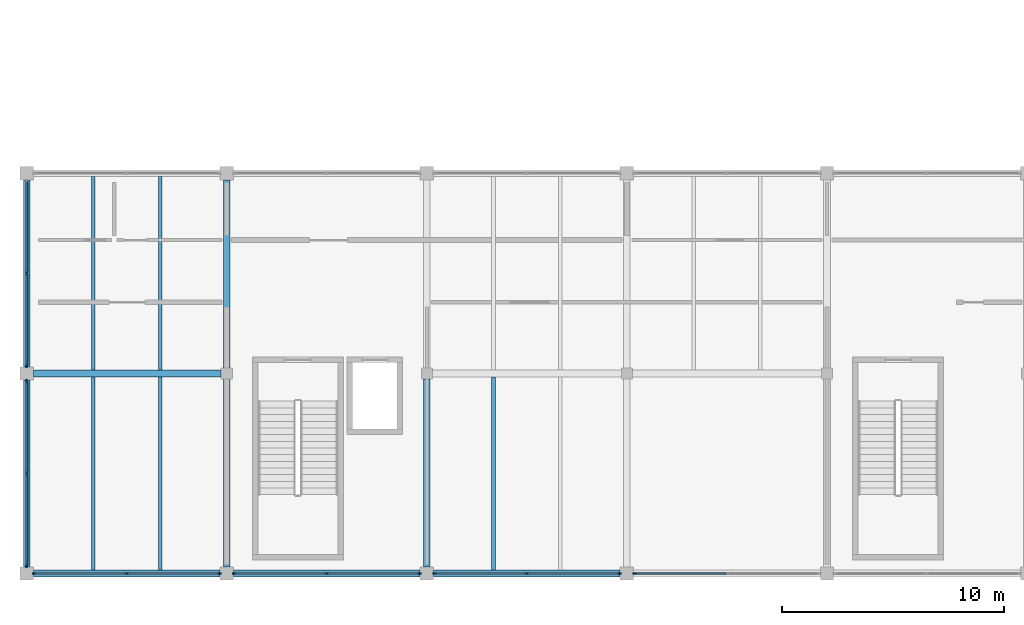
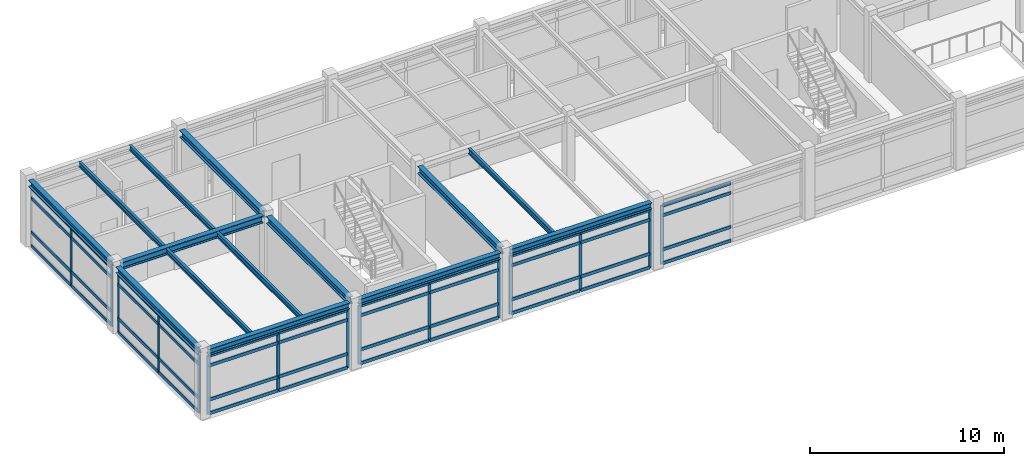
# One storey, part 5 of 33: 59 members, 14 beams, 6 elements without a shape of their own.
"""IFC4 building model written with IfcOpenShell, lengths in metres."""

import ifcopenshell
import ifcopenshell.guid

model = None  # the IFC model being written
_history = None  # IfcOwnerHistory: only IFC2X3 demands one
_inside = {}  # id of a spatial element -> (the spatial element, [elements in it])
_under = {}  # id of a project, library or spatial element -> (it, [spatial elements below it])
_declared = {}  # id of a project -> (the project, [libraries it declares])
_typed = {}  # id of a type object -> (the type object, [elements of that type])
_made_of = {}  # id of a material, layer set ... -> (it, [elements and type objects made of it])


def new_model(schema):
    """Start an empty IFC model of exactly this schema.

    Asked for "IFC4X3", IfcOpenShell would pick the latest addendum, in which some entities
    have other attributes; the version numbers below select the first issue.
    IFC2X3 requires an IfcOwnerHistory on every rooted entity: one is made here for all.
    """
    global model, _history
    if schema == "IFC4X3":
        model = ifcopenshell.file(schema_version=(4, 3, 0, 0))
    else:
        model = ifcopenshell.file(schema=schema)
    _inside.clear()
    _under.clear()
    _declared.clear()
    _typed.clear()
    _made_of.clear()
    _history = None
    if model.schema == "IFC2X3":
        org = make("IfcOrganization", Name="unknown")
        user = make(
            "IfcPersonAndOrganization",
            ThePerson=make("IfcPerson", FamilyName="unknown"),
            TheOrganization=org,
        )
        app = make(
            "IfcApplication",
            ApplicationDeveloper=org,
            Version="unknown",
            ApplicationFullName="unknown",
            ApplicationIdentifier="unknown",
        )
        _history = make(
            "IfcOwnerHistory",
            OwningUser=user,
            OwningApplication=app,
            ChangeAction="ADDED",
            CreationDate=0,
        )
    return model


def make(cls, **values):
    """One entity of the class cls with the attributes given. An attribute that is None is left unset."""
    return model.create_entity(
        cls, **{name: value for name, value in values.items() if value is not None}
    )


def rooted(cls, **values):
    """An entity with a GlobalId (a new one), such as an element, a storey or a relation."""
    return make(cls, GlobalId=ifcopenshell.guid.new(), OwnerHistory=_history, **values)


def si_unit(unit_type, name, prefix=None):
    """IfcSIUnit, for example si_unit("LENGTHUNIT", "METRE", prefix="MILLI")."""
    return make("IfcSIUnit", UnitType=unit_type, Prefix=prefix, Name=name)


def assignment(units):
    """IfcUnitAssignment: the units of a project."""
    return None if units is None else make("IfcUnitAssignment", Units=units)


def point(xyz):
    """IfcCartesianPoint."""
    return None if xyz is None else make("IfcCartesianPoint", Coordinates=xyz)


def direction(xyz):
    """IfcDirection."""
    return None if xyz is None else make("IfcDirection", DirectionRatios=xyz)


def frame(location, z_axis=None, x_axis=None):
    """IfcAxis2Placement3D, a coordinate frame: its origin and axes. An axis left out is left unset."""
    return make(
        "IfcAxis2Placement3D",
        Location=point(location),
        Axis=direction(z_axis),
        RefDirection=direction(x_axis),
    )


def frame_2d(location, x_axis=None):
    """IfcAxis2Placement2D, a coordinate frame in the plane: its origin and x axis."""
    return make(
        "IfcAxis2Placement2D", Location=point(location), RefDirection=direction(x_axis)
    )


def origin():
    """The frame at (0, 0, 0) with its axes left unset."""
    return frame((0.0, 0.0, 0.0))


def origin_2d():
    """The frame at (0, 0) in the plane with its x axis left unset."""
    return frame_2d((0.0, 0.0))


def place(relative_to, where):
    """IfcLocalPlacement: puts the frame where relative to a parent placement (None: the world)."""
    return make(
        "IfcLocalPlacement", PlacementRelTo=relative_to, RelativePlacement=where
    )


def context(
    kind, dimensions, precision=None, world=None, true_north=None, identifier=None
):
    """IfcGeometricRepresentationContext, for example the 3D "Model" context."""
    return make(
        "IfcGeometricRepresentationContext",
        ContextIdentifier=identifier,
        ContextType=kind,
        CoordinateSpaceDimension=dimensions,
        Precision=precision,
        WorldCoordinateSystem=world,
        TrueNorth=true_north,
    )


def subcontext(parent, identifier, kind, view, scale=None):
    """IfcGeometricRepresentationSubContext, for example "Body" below "Model"."""
    return make(
        "IfcGeometricRepresentationSubContext",
        ContextIdentifier=identifier,
        ContextType=kind,
        ParentContext=parent,
        TargetScale=scale,
        TargetView=view,
    )


def project(units=None, contexts=None):
    """IfcProject with its units and contexts."""
    return rooted(
        "IfcProject",
        Name="project",
        RepresentationContexts=contexts,
        UnitsInContext=assignment(units),
    )


def spatial(cls, under=None, at=None, **own):
    """A site, building, storey or space (cls), placed at a placement, below another one or the project."""
    s = rooted(cls, ObjectPlacement=at, **own)
    if under is not None:
        _under.setdefault(under.id(), (under, []))[1].append(s)
    return s


def profile(cls, at=None, kind="AREA", **sizes):
    """A parametric profile (cls). Its sizes go by their IFC names, for example OverallWidth=200.0."""
    return make(cls, ProfileType=kind, Position=at, **sizes)


def rectangle(**sizes):
    """IfcRectangleProfileDef."""
    return profile("IfcRectangleProfileDef", **sizes)


def i_section(**sizes):
    """IfcIShapeProfileDef."""
    return profile("IfcIShapeProfileDef", **sizes)


def extrude(swept, where, along, depth):
    """IfcExtrudedAreaSolid: the profile swept, set in the frame where, extruded along a direction by depth."""
    return make(
        "IfcExtrudedAreaSolid",
        SweptArea=swept,
        Position=where,
        ExtrudedDirection=direction(along),
        Depth=depth,
    )


def shape(context_of_items, identifier, shape_type, items):
    """IfcShapeRepresentation: the items that make up one representation, for example the "Body"."""
    return make(
        "IfcShapeRepresentation",
        ContextOfItems=context_of_items,
        RepresentationIdentifier=identifier,
        RepresentationType=shape_type,
        Items=items,
    )


def material(Name=None, Category=None):
    """IfcMaterial."""
    return make("IfcMaterial", Name=Name, Category=Category)


def material_profile(
    of_material, cross_section, Name=None, Category=None, Priority=None
):
    """IfcMaterialProfile: a cross section and its material."""
    return make(
        "IfcMaterialProfile",
        Name=Name,
        Material=of_material,
        Profile=cross_section,
        Priority=Priority,
        Category=Category,
    )


def profile_set(profiles, Name=None, composite=None):
    """IfcMaterialProfileSet."""
    return make(
        "IfcMaterialProfileSet",
        Name=Name,
        MaterialProfiles=profiles,
        CompositeProfile=composite,
    )


def made_of(thing, what):
    """Note that an element or type object is made of a material, layer set ...; save() writes the relation."""
    if what is not None:
        _made_of.setdefault(what.id(), (what, []))[1].append(thing)
    return thing


def type_object(cls, material=None, **own):
    """A type object (cls), such as IfcWallType, which elements share."""
    return made_of(rooted(cls, **own), material)


def element(
    cls,
    number,
    at=None,
    inside=None,
    cuts=None,
    type_object=None,
    material=None,
    context=None,
    identifier="Body",
    shape_type=None,
    held_by="IfcProductDefinitionShape",
    body=None,
    shapes=None,
    **own,
):
    """One element of the class cls, such as IfcWall. Its Tag is "e" and its number.

    at: its placement. inside: the storey or other place that contains it. cuts: it is an
    opening in that element (IfcRelVoidsElement). A single representation is given by context,
    identifier, shape_type and body (its items); several are given by shapes. held_by: the class
    of the entity that holds the representations. save() writes the other relations.
    """
    e = rooted(cls, Tag="e%d" % number, ObjectPlacement=at, **own)
    if body is not None:
        shapes = [shape(context, identifier, shape_type, body)]
    if shapes is not None:
        e.Representation = make(held_by, Representations=shapes)
    if inside is not None:
        _inside.setdefault(inside.id(), (inside, []))[1].append(e)
    if cuts is not None:
        rooted(
            "IfcRelVoidsElement", RelatingBuildingElement=cuts, RelatedOpeningElement=e
        )
    if type_object is not None:
        _typed.setdefault(type_object.id(), (type_object, []))[1].append(e)
    return made_of(e, material)


def aggregate(whole, parts):
    """IfcRelAggregates: a whole, such as a stair, and the parts it consists of."""
    return rooted("IfcRelAggregates", RelatingObject=whole, RelatedObjects=parts)


def save(model, path):
    """Write the relations noted so far, then the file.

    IfcRelAggregates (storeys below a building ...), IfcRelContainedInSpatialStructure (elements
    in a storey), IfcRelDefinesByType, IfcRelAssociatesMaterial and IfcRelDeclares: one each for
    every whole, place, type object, material and project.
    """
    for whole, parts in _under.values():
        aggregate(whole, parts)
    for where, things in _inside.values():
        rooted(
            "IfcRelContainedInSpatialStructure",
            RelatedElements=things,
            RelatingStructure=where,
        )
    for kind, things in _typed.values():
        rooted("IfcRelDefinesByType", RelatedObjects=things, RelatingType=kind)
    for what, things in _made_of.values():
        rooted("IfcRelAssociatesMaterial", RelatedObjects=things, RelatingMaterial=what)
    for by, libraries in _declared.values():
        rooted("IfcRelDeclares", RelatingContext=by, RelatedDefinitions=libraries)
    model.write(path)


model = new_model("IFC4")

# Units and contexts
model_context = context("Model", 3, precision=1e-05, world=origin(), true_north=direction((0.0, 1.0)))
body_context = subcontext(model_context, "Body", "Model", "MODEL_VIEW")
ifc_project = project(units=[si_unit("LENGTHUNIT", "METRE"), si_unit("AREAUNIT", "SQUARE_METRE"), si_unit("VOLUMEUNIT", "CUBIC_METRE"), si_unit("PLANEANGLEUNIT", "RADIAN"), si_unit("MASSUNIT", "GRAM", prefix="KILO")], contexts=[model_context])

# Site, building, storey
site_placement = place(None, origin())
site = spatial("IfcSite", under=ifc_project, at=site_placement, CompositionType="ELEMENT")
building_placement = place(site_placement, origin())
building = spatial("IfcBuilding", under=site, at=building_placement, Name="Bozkorgan Art Gallery", CompositionType="ELEMENT")
storey_placement = place(building_placement, frame((0.0, 0.0, 19.5)))
storey = spatial("IfcBuildingStorey", under=building, at=storey_placement, Name="L04", CompositionType="ELEMENT", Elevation=19.5)

# Beams
ifc_material_1 = material(Name="Steel S355J2", Category="steel")
ifc_material_profile_1 = material_profile(ifc_material_1, i_section(OverallWidth=0.300048828125, OverallDepth=0.449951171875, WebThickness=0.013916015625, FlangeThickness=0.02587890625, FilletRadius=0.027099609375, at=origin_2d()), Name="HEB 450")
ifc_profile_set_1 = profile_set([ifc_material_profile_1], Name="Steel S355J2")
beam_type_1 = type_object("IfcBeamType", Name="BEAM-BM-53", PredefinedType="BEAM", material=ifc_profile_set_1)
for number, where, z_axis, x_axis, name in (
    (1, (2.300048828125, 11.0, 3.955078125), (1.0, 0.0, 0.0), (0.0, 1.0, 0.0), "V1 L04 beam X (2-11, 11.0)"),
    (2, (11.0, 2.300048828125, 3.955078125), (0.0, 1.0, 0.0), (-1.0, 0.0, 0.0), "V1 L04 beam Y (11, 2.0-11.0)"),
    (3, (11.0, 11.25, 3.955078125), (0.0, 1.0, 0.0), (-1.0, 0.0, 0.0), "V1 L04 beam Y (11, 11.0-20.0)"),
    (4, (20.0, 2.300048828125, 3.955078125), (0.0, 1.0, 0.0), (-1.0, 0.0, 0.0), "V1 L04 beam Y (20, 2.0-11.0)"),
):
    element("IfcBeam", number, at=place(storey_placement, frame(where, z_axis=z_axis, x_axis=x_axis)), inside=storey, type_object=beam_type_1, Name=name, PredefinedType="BEAM", context=body_context, shape_type="SweptSolid", body=[
        extrude(i_section(OverallWidth=0.300048828125, OverallDepth=0.449951171875, WebThickness=0.013916015625, FlangeThickness=0.02587890625, FilletRadius=0.027099609375, at=origin_2d()), origin(), (0.0, 0.0, 1.0), 8.449951171875),
    ])
ifc_material_profile_2 = material_profile(ifc_material_1, i_section(OverallWidth=0.159912109375, OverallDepth=0.330078125, WebThickness=0.007568359375, FlangeThickness=0.011474609375, FilletRadius=0.01806640625, at=origin_2d()), Name="IPE 330")
ifc_profile_set_2 = profile_set([ifc_material_profile_2], Name="Steel S355J2")
beam_type_2 = type_object("IfcBeamType", Name="BEAM-JS-33", PredefinedType="JOIST", material=ifc_profile_set_2)
for number, where, z_axis, x_axis, name in (
    (5, (5.0, 2.14990234375, 4.014892578125), (0.0, 1.0, 0.0), (-1.0, 0.0, 0.0), "V1 L04 secondary joist (2-11, 2.0-11.0) #1"),
    (6, (8.0, 2.14990234375, 4.014892578125), (0.0, 1.0, 0.0), (-1.0, 0.0, 0.0), "V1 L04 secondary joist (2-11, 2.0-11.0) #2"),
    (7, (5.0, 11.14990234375, 4.014892578125), (0.0, 1.0, 0.0), (-1.0, 0.0, 0.0), "V1 L04 secondary joist (2-11, 11.0-20.0) #1"),
    (8, (8.0, 11.14990234375, 4.014892578125), (0.0, 1.0, 0.0), (-1.0, 0.0, 0.0), "V1 L04 secondary joist (2-11, 11.0-20.0) #2"),
    (9, (23.0, 2.14990234375, 4.014892578125), (0.0, 1.0, 0.0), (-1.0, 0.0, 0.0), "V1 L04 secondary joist (20-29, 2.0-11.0) #1"),
):
    element("IfcBeam", number, at=place(storey_placement, frame(where, z_axis=z_axis, x_axis=x_axis)), inside=storey, type_object=beam_type_2, Name=name, PredefinedType="JOIST", context=body_context, shape_type="SweptSolid", body=[
        extrude(i_section(OverallWidth=0.159912109375, OverallDepth=0.330078125, WebThickness=0.007568359375, FlangeThickness=0.011474609375, FilletRadius=0.01806640625, at=origin_2d()), origin(), (0.0, 0.0, 1.0), 8.7001953125),
    ])
ifc_material_profile_3 = material_profile(ifc_material_1, i_section(OverallWidth=0.300048828125, OverallDepth=0.389892578125, WebThickness=0.010986328125, FlangeThickness=0.01904296875, FilletRadius=0.027099609375, at=origin_2d()), Name="HEA 400")
ifc_profile_set_3 = profile_set([ifc_material_profile_3], Name="Steel S355J2")
beam_type_3 = type_object("IfcBeamType", Name="BEAM-SP-65", PredefinedType="SPANDREL", material=ifc_profile_set_3)
for number, where, z_axis, x_axis, name in (
    (10, (2.300048828125, 2.0, 3.985107421875), (1.0, 0.0, 0.0), (0.0, 1.0, 0.0), "V1 L04 spandrel X (2-11, 2.0)"),
    (11, (11.300048828125, 2.0, 3.985107421875), (1.0, 0.0, 0.0), (0.0, 1.0, 0.0), "V1 L04 spandrel X (11-20, 2.0)"),
    (12, (20.300048828125, 2.0, 3.985107421875), (1.0, 0.0, 0.0), (0.0, 1.0, 0.0), "V1 L04 spandrel X (20-29, 2.0)"),
    (13, (2.0, 2.300048828125, 3.985107421875), (0.0, 1.0, 0.0), (-1.0, 0.0, 0.0), "V1 L04 spandrel Y (2, 2.0-11.0)"),
    (14, (2.0, 11.300048828125, 3.985107421875), (0.0, 1.0, 0.0), (-1.0, 0.0, 0.0), "V1 L04 spandrel Y (2, 11.0-20.0)"),
):
    element("IfcBeam", number, at=place(storey_placement, frame(where, z_axis=z_axis, x_axis=x_axis)), inside=storey, type_object=beam_type_3, Name=name, PredefinedType="SPANDREL", context=body_context, shape_type="SweptSolid", body=[
        extrude(i_section(OverallWidth=0.300048828125, OverallDepth=0.389892578125, WebThickness=0.010986328125, FlangeThickness=0.01904296875, FilletRadius=0.027099609375, at=origin_2d()), origin(), (0.0, 0.0, 1.0), 8.39990234375),
    ])

# Curtain wall, members
ifc_material_2 = material(Name="Anodised Bronze Aluminium", Category="aluminium")
curtain_wall_type = type_object("IfcCurtainWallType", Name="CW-CW-71", PredefinedType="NOTDEFINED", material=ifc_material_2)
curtain_wall_1_placement = place(storey_placement, origin())
curtain_wall_1 = element("IfcCurtainWall", 15, at=curtain_wall_1_placement, inside=storey, type_object=curtain_wall_type, Name="L04 unitised curtain wall CW-V1-L04-1S-01", PredefinedType="NOTDEFINED")
ifc_material_profile_4 = material_profile(ifc_material_2, rectangle(XDim=0.06494140625, YDim=0.179931640625, at=origin_2d()), Name="ALU MULLION 65x180")
ifc_profile_set_4 = profile_set([ifc_material_profile_4], Name="Anodised Bronze Aluminium")
member_type_1 = type_object("IfcMemberType", Name="CWM-01", PredefinedType="MULLION", material=ifc_profile_set_4)
member_1_placement = place(storey_placement, frame((2.347412109375, 2.0, 0.02001953125), z_axis=(0.0, 0.0, 1.0), x_axis=(0.0, 1.0, 0.0)))
member_1 = element("IfcMember", 16, at=member_1_placement, type_object=member_type_1, Name="CW-71 mullion 1", PredefinedType="MULLION", context=body_context, shape_type="SweptSolid", body=[
    extrude(rectangle(XDim=0.06494140625, YDim=0.179931640625, at=origin_2d()), origin(), (0.0, 0.0, 1.0), 3.695068359375),
])
member_2_placement = place(storey_placement, frame((6.5, 2.0, 0.02001953125), z_axis=(0.0, 0.0, 1.0), x_axis=(0.0, 1.0, 0.0)))
member_2 = element("IfcMember", 17, at=member_2_placement, type_object=member_type_1, Name="CW-71 mullion 2", PredefinedType="MULLION", context=body_context, shape_type="SweptSolid", body=[
    extrude(rectangle(XDim=0.06494140625, YDim=0.179931640625, at=origin_2d()), origin(), (0.0, 0.0, 1.0), 3.695068359375),
])
member_3_placement = place(storey_placement, frame((10.652587890625, 2.0, 0.02001953125), z_axis=(0.0, 0.0, 1.0), x_axis=(0.0, 1.0, 0.0)))
member_3 = element("IfcMember", 18, at=member_3_placement, type_object=member_type_1, Name="CW-71 mullion 3", PredefinedType="MULLION", context=body_context, shape_type="SweptSolid", body=[
    extrude(rectangle(XDim=0.06494140625, YDim=0.179931640625, at=origin_2d()), origin(), (0.0, 0.0, 1.0), 3.695068359375),
])

curtain_wall_2_placement = place(storey_placement, origin())
curtain_wall_2 = element("IfcCurtainWall", 19, at=curtain_wall_2_placement, inside=storey, type_object=curtain_wall_type, Name="L04 unitised curtain wall CW-V1-L04-1S-03", PredefinedType="NOTDEFINED")
member_4_placement = place(storey_placement, frame((11.347412109375, 2.0, 0.02001953125), z_axis=(0.0, 0.0, 1.0), x_axis=(0.0, 1.0, 0.0)))
member_4 = element("IfcMember", 20, at=member_4_placement, type_object=member_type_1, Name="CW-71 mullion 1", PredefinedType="MULLION", context=body_context, shape_type="SweptSolid", body=[
    extrude(rectangle(XDim=0.06494140625, YDim=0.179931640625, at=origin_2d()), origin(), (0.0, 0.0, 1.0), 3.695068359375),
])
member_5_placement = place(storey_placement, frame((15.5, 2.0, 0.02001953125), z_axis=(0.0, 0.0, 1.0), x_axis=(0.0, 1.0, 0.0)))
member_5 = element("IfcMember", 21, at=member_5_placement, type_object=member_type_1, Name="CW-71 mullion 2", PredefinedType="MULLION", context=body_context, shape_type="SweptSolid", body=[
    extrude(rectangle(XDim=0.06494140625, YDim=0.179931640625, at=origin_2d()), origin(), (0.0, 0.0, 1.0), 3.695068359375),
])
member_6_placement = place(storey_placement, frame((19.652587890625, 2.0, 0.02001953125), z_axis=(0.0, 0.0, 1.0), x_axis=(0.0, 1.0, 0.0)))
member_6 = element("IfcMember", 22, at=member_6_placement, type_object=member_type_1, Name="CW-71 mullion 3", PredefinedType="MULLION", context=body_context, shape_type="SweptSolid", body=[
    extrude(rectangle(XDim=0.06494140625, YDim=0.179931640625, at=origin_2d()), origin(), (0.0, 0.0, 1.0), 3.695068359375),
])

curtain_wall_3_placement = place(storey_placement, origin())
curtain_wall_3 = element("IfcCurtainWall", 23, at=curtain_wall_3_placement, inside=storey, type_object=curtain_wall_type, Name="L04 unitised curtain wall CW-V1-L04-1S-05", PredefinedType="NOTDEFINED")
member_7_placement = place(storey_placement, frame((20.347412109375, 2.0, 0.02001953125), z_axis=(0.0, 0.0, 1.0), x_axis=(0.0, 1.0, 0.0)))
member_7 = element("IfcMember", 24, at=member_7_placement, type_object=member_type_1, Name="CW-71 mullion 1", PredefinedType="MULLION", context=body_context, shape_type="SweptSolid", body=[
    extrude(rectangle(XDim=0.06494140625, YDim=0.179931640625, at=origin_2d()), origin(), (0.0, 0.0, 1.0), 3.695068359375),
])
member_8_placement = place(storey_placement, frame((24.5, 2.0, 0.02001953125), z_axis=(0.0, 0.0, 1.0), x_axis=(0.0, 1.0, 0.0)))
member_8 = element("IfcMember", 25, at=member_8_placement, type_object=member_type_1, Name="CW-71 mullion 2", PredefinedType="MULLION", context=body_context, shape_type="SweptSolid", body=[
    extrude(rectangle(XDim=0.06494140625, YDim=0.179931640625, at=origin_2d()), origin(), (0.0, 0.0, 1.0), 3.695068359375),
])
member_9_placement = place(storey_placement, frame((28.652587890625, 2.0, 0.02001953125), z_axis=(0.0, 0.0, 1.0), x_axis=(0.0, 1.0, 0.0)))
member_9 = element("IfcMember", 26, at=member_9_placement, type_object=member_type_1, Name="CW-71 mullion 3", PredefinedType="MULLION", context=body_context, shape_type="SweptSolid", body=[
    extrude(rectangle(XDim=0.06494140625, YDim=0.179931640625, at=origin_2d()), origin(), (0.0, 0.0, 1.0), 3.695068359375),
])

# Curtain wall, member
curtain_wall_4_placement = place(storey_placement, origin())
curtain_wall_4 = element("IfcCurtainWall", 27, at=curtain_wall_4_placement, inside=storey, type_object=curtain_wall_type, Name="L04 unitised curtain wall CW-V1-L04-1S-07", PredefinedType="NOTDEFINED")
member_10_placement = place(storey_placement, frame((29.347412109375, 2.0, 0.02001953125), z_axis=(0.0, 0.0, 1.0), x_axis=(0.0, 1.0, 0.0)))
member_10 = element("IfcMember", 28, at=member_10_placement, type_object=member_type_1, Name="CW-71 mullion 1", PredefinedType="MULLION", context=body_context, shape_type="SweptSolid", body=[
    extrude(rectangle(XDim=0.06494140625, YDim=0.179931640625, at=origin_2d()), origin(), (0.0, 0.0, 1.0), 3.695068359375),
])

# Curtain wall, members
curtain_wall_5_placement = place(storey_placement, origin())
curtain_wall_5 = element("IfcCurtainWall", 29, at=curtain_wall_5_placement, inside=storey, type_object=curtain_wall_type, Name="L04 unitised curtain wall CW-V1-L04-1W-15", PredefinedType="NOTDEFINED")
member_11_placement = place(storey_placement, frame((2.0, 2.347412109375, 0.02001953125), z_axis=(0.0, 0.0, 1.0), x_axis=(-1.0, 0.0, 0.0)))
member_11 = element("IfcMember", 30, at=member_11_placement, type_object=member_type_1, Name="CW-71 mullion 1", PredefinedType="MULLION", context=body_context, shape_type="SweptSolid", body=[
    extrude(rectangle(XDim=0.06494140625, YDim=0.179931640625, at=origin_2d()), origin(), (0.0, 0.0, 1.0), 3.695068359375),
])
member_12_placement = place(storey_placement, frame((2.0, 6.5, 0.02001953125), z_axis=(0.0, 0.0, 1.0), x_axis=(-1.0, 0.0, 0.0)))
member_12 = element("IfcMember", 31, at=member_12_placement, type_object=member_type_1, Name="CW-71 mullion 2", PredefinedType="MULLION", context=body_context, shape_type="SweptSolid", body=[
    extrude(rectangle(XDim=0.06494140625, YDim=0.179931640625, at=origin_2d()), origin(), (0.0, 0.0, 1.0), 3.695068359375),
])
member_13_placement = place(storey_placement, frame((2.0, 10.652587890625, 0.02001953125), z_axis=(0.0, 0.0, 1.0), x_axis=(-1.0, 0.0, 0.0)))
member_13 = element("IfcMember", 32, at=member_13_placement, type_object=member_type_1, Name="CW-71 mullion 3", PredefinedType="MULLION", context=body_context, shape_type="SweptSolid", body=[
    extrude(rectangle(XDim=0.06494140625, YDim=0.179931640625, at=origin_2d()), origin(), (0.0, 0.0, 1.0), 3.695068359375),
])

curtain_wall_6_placement = place(storey_placement, origin())
curtain_wall_6 = element("IfcCurtainWall", 33, at=curtain_wall_6_placement, inside=storey, type_object=curtain_wall_type, Name="L04 unitised curtain wall CW-V1-L04-1W-17", PredefinedType="NOTDEFINED")
member_14_placement = place(storey_placement, frame((2.0, 11.347412109375, 0.02001953125), z_axis=(0.0, 0.0, 1.0), x_axis=(-1.0, 0.0, 0.0)))
member_14 = element("IfcMember", 34, at=member_14_placement, type_object=member_type_1, Name="CW-71 mullion 1", PredefinedType="MULLION", context=body_context, shape_type="SweptSolid", body=[
    extrude(rectangle(XDim=0.06494140625, YDim=0.179931640625, at=origin_2d()), origin(), (0.0, 0.0, 1.0), 3.695068359375),
])
member_15_placement = place(storey_placement, frame((2.0, 15.5, 0.02001953125), z_axis=(0.0, 0.0, 1.0), x_axis=(-1.0, 0.0, 0.0)))
member_15 = element("IfcMember", 35, at=member_15_placement, type_object=member_type_1, Name="CW-71 mullion 2", PredefinedType="MULLION", context=body_context, shape_type="SweptSolid", body=[
    extrude(rectangle(XDim=0.06494140625, YDim=0.179931640625, at=origin_2d()), origin(), (0.0, 0.0, 1.0), 3.695068359375),
])

# Member
ifc_material_profile_5 = material_profile(ifc_material_2, rectangle(XDim=0.080078125, YDim=0.199951171875, at=origin_2d()), Name="ALU TRANSOM 80x200")
ifc_profile_set_5 = profile_set([ifc_material_profile_5], Name="Anodised Bronze Aluminium")
member_type_2 = type_object("IfcMemberType", Name="CWT-03", PredefinedType="USERDEFINED", material=ifc_profile_set_5)
member_16_placement = place(storey_placement, frame((2.3798828125, 2.0, 0.06005859375), z_axis=(1.0, 0.0, 0.0), x_axis=(0.0, 1.0, 0.0)))
member_16 = element("IfcMember", 36, at=member_16_placement, type_object=member_type_2, Name="CW-71 transom 1.1", ObjectType="TRANSOM", PredefinedType="USERDEFINED", context=body_context, shape_type="SweptSolid", body=[
    extrude(rectangle(XDim=0.080078125, YDim=0.199951171875, at=origin_2d()), origin(), (0.0, 0.0, 1.0), 4.087646484375),
])

member_17_placement = place(storey_placement, frame((2.3798828125, 2.0, 0.919921875), z_axis=(1.0, 0.0, 0.0), x_axis=(0.0, 1.0, 0.0)))
member_17 = element("IfcMember", 37, at=member_17_placement, type_object=member_type_2, Name="CW-71 transom 1.2", ObjectType="TRANSOM", PredefinedType="USERDEFINED", context=body_context, shape_type="SweptSolid", body=[
    extrude(rectangle(XDim=0.080078125, YDim=0.199951171875, at=origin_2d()), origin(), (0.0, 0.0, 1.0), 4.087646484375),
])

member_18_placement = place(storey_placement, frame((2.3798828125, 2.0, 3.06494140625), z_axis=(1.0, 0.0, 0.0), x_axis=(0.0, 1.0, 0.0)))
member_18 = element("IfcMember", 38, at=member_18_placement, type_object=member_type_2, Name="CW-71 transom 1.3", ObjectType="TRANSOM", PredefinedType="USERDEFINED", context=body_context, shape_type="SweptSolid", body=[
    extrude(rectangle(XDim=0.080078125, YDim=0.199951171875, at=origin_2d()), origin(), (0.0, 0.0, 1.0), 4.087646484375),
])

member_19_placement = place(storey_placement, frame((2.3798828125, 2.0, 3.675048828125), z_axis=(1.0, 0.0, 0.0), x_axis=(0.0, 1.0, 0.0)))
member_19 = element("IfcMember", 39, at=member_19_placement, type_object=member_type_2, Name="CW-71 transom 1.4", ObjectType="TRANSOM", PredefinedType="USERDEFINED", context=body_context, shape_type="SweptSolid", body=[
    extrude(rectangle(XDim=0.080078125, YDim=0.199951171875, at=origin_2d()), origin(), (0.0, 0.0, 1.0), 4.087646484375),
])

member_20_placement = place(storey_placement, frame((6.532470703125, 2.0, 0.06005859375), z_axis=(1.0, 0.0, 0.0), x_axis=(0.0, 1.0, 0.0)))
member_20 = element("IfcMember", 40, at=member_20_placement, type_object=member_type_2, Name="CW-71 transom 2.1", ObjectType="TRANSOM", PredefinedType="USERDEFINED", context=body_context, shape_type="SweptSolid", body=[
    extrude(rectangle(XDim=0.080078125, YDim=0.199951171875, at=origin_2d()), origin(), (0.0, 0.0, 1.0), 4.087646484375),
])

member_21_placement = place(storey_placement, frame((6.532470703125, 2.0, 0.919921875), z_axis=(1.0, 0.0, 0.0), x_axis=(0.0, 1.0, 0.0)))
member_21 = element("IfcMember", 41, at=member_21_placement, type_object=member_type_2, Name="CW-71 transom 2.2", ObjectType="TRANSOM", PredefinedType="USERDEFINED", context=body_context, shape_type="SweptSolid", body=[
    extrude(rectangle(XDim=0.080078125, YDim=0.199951171875, at=origin_2d()), origin(), (0.0, 0.0, 1.0), 4.087646484375),
])

member_22_placement = place(storey_placement, frame((6.532470703125, 2.0, 3.06494140625), z_axis=(1.0, 0.0, 0.0), x_axis=(0.0, 1.0, 0.0)))
member_22 = element("IfcMember", 42, at=member_22_placement, type_object=member_type_2, Name="CW-71 transom 2.3", ObjectType="TRANSOM", PredefinedType="USERDEFINED", context=body_context, shape_type="SweptSolid", body=[
    extrude(rectangle(XDim=0.080078125, YDim=0.199951171875, at=origin_2d()), origin(), (0.0, 0.0, 1.0), 4.087646484375),
])

member_23_placement = place(storey_placement, frame((6.532470703125, 2.0, 3.675048828125), z_axis=(1.0, 0.0, 0.0), x_axis=(0.0, 1.0, 0.0)))
member_23 = element("IfcMember", 43, at=member_23_placement, type_object=member_type_2, Name="CW-71 transom 2.4", ObjectType="TRANSOM", PredefinedType="USERDEFINED", context=body_context, shape_type="SweptSolid", body=[
    extrude(rectangle(XDim=0.080078125, YDim=0.199951171875, at=origin_2d()), origin(), (0.0, 0.0, 1.0), 4.087646484375),
])

aggregate(curtain_wall_1, [member_1, member_2, member_3, member_16, member_17, member_18, member_19, member_20, member_21, member_22, member_23])

member_24_placement = place(storey_placement, frame((11.3798828125, 2.0, 0.06005859375), z_axis=(1.0, 0.0, 0.0), x_axis=(0.0, 1.0, 0.0)))
member_24 = element("IfcMember", 44, at=member_24_placement, type_object=member_type_2, Name="CW-71 transom 1.1", ObjectType="TRANSOM", PredefinedType="USERDEFINED", context=body_context, shape_type="SweptSolid", body=[
    extrude(rectangle(XDim=0.080078125, YDim=0.199951171875, at=origin_2d()), origin(), (0.0, 0.0, 1.0), 4.087646484375),
])

member_25_placement = place(storey_placement, frame((11.3798828125, 2.0, 0.919921875), z_axis=(1.0, 0.0, 0.0), x_axis=(0.0, 1.0, 0.0)))
member_25 = element("IfcMember", 45, at=member_25_placement, type_object=member_type_2, Name="CW-71 transom 1.2", ObjectType="TRANSOM", PredefinedType="USERDEFINED", context=body_context, shape_type="SweptSolid", body=[
    extrude(rectangle(XDim=0.080078125, YDim=0.199951171875, at=origin_2d()), origin(), (0.0, 0.0, 1.0), 4.087646484375),
])

member_26_placement = place(storey_placement, frame((11.3798828125, 2.0, 3.06494140625), z_axis=(1.0, 0.0, 0.0), x_axis=(0.0, 1.0, 0.0)))
member_26 = element("IfcMember", 46, at=member_26_placement, type_object=member_type_2, Name="CW-71 transom 1.3", ObjectType="TRANSOM", PredefinedType="USERDEFINED", context=body_context, shape_type="SweptSolid", body=[
    extrude(rectangle(XDim=0.080078125, YDim=0.199951171875, at=origin_2d()), origin(), (0.0, 0.0, 1.0), 4.087646484375),
])

member_27_placement = place(storey_placement, frame((11.3798828125, 2.0, 3.675048828125), z_axis=(1.0, 0.0, 0.0), x_axis=(0.0, 1.0, 0.0)))
member_27 = element("IfcMember", 47, at=member_27_placement, type_object=member_type_2, Name="CW-71 transom 1.4", ObjectType="TRANSOM", PredefinedType="USERDEFINED", context=body_context, shape_type="SweptSolid", body=[
    extrude(rectangle(XDim=0.080078125, YDim=0.199951171875, at=origin_2d()), origin(), (0.0, 0.0, 1.0), 4.087646484375),
])

member_28_placement = place(storey_placement, frame((15.532470703125, 2.0, 0.06005859375), z_axis=(1.0, 0.0, 0.0), x_axis=(0.0, 1.0, 0.0)))
member_28 = element("IfcMember", 48, at=member_28_placement, type_object=member_type_2, Name="CW-71 transom 2.1", ObjectType="TRANSOM", PredefinedType="USERDEFINED", context=body_context, shape_type="SweptSolid", body=[
    extrude(rectangle(XDim=0.080078125, YDim=0.199951171875, at=origin_2d()), origin(), (0.0, 0.0, 1.0), 4.087646484375),
])

member_29_placement = place(storey_placement, frame((15.532470703125, 2.0, 0.919921875), z_axis=(1.0, 0.0, 0.0), x_axis=(0.0, 1.0, 0.0)))
member_29 = element("IfcMember", 49, at=member_29_placement, type_object=member_type_2, Name="CW-71 transom 2.2", ObjectType="TRANSOM", PredefinedType="USERDEFINED", context=body_context, shape_type="SweptSolid", body=[
    extrude(rectangle(XDim=0.080078125, YDim=0.199951171875, at=origin_2d()), origin(), (0.0, 0.0, 1.0), 4.087646484375),
])

member_30_placement = place(storey_placement, frame((15.532470703125, 2.0, 3.06494140625), z_axis=(1.0, 0.0, 0.0), x_axis=(0.0, 1.0, 0.0)))
member_30 = element("IfcMember", 50, at=member_30_placement, type_object=member_type_2, Name="CW-71 transom 2.3", ObjectType="TRANSOM", PredefinedType="USERDEFINED", context=body_context, shape_type="SweptSolid", body=[
    extrude(rectangle(XDim=0.080078125, YDim=0.199951171875, at=origin_2d()), origin(), (0.0, 0.0, 1.0), 4.087646484375),
])

member_31_placement = place(storey_placement, frame((15.532470703125, 2.0, 3.675048828125), z_axis=(1.0, 0.0, 0.0), x_axis=(0.0, 1.0, 0.0)))
member_31 = element("IfcMember", 51, at=member_31_placement, type_object=member_type_2, Name="CW-71 transom 2.4", ObjectType="TRANSOM", PredefinedType="USERDEFINED", context=body_context, shape_type="SweptSolid", body=[
    extrude(rectangle(XDim=0.080078125, YDim=0.199951171875, at=origin_2d()), origin(), (0.0, 0.0, 1.0), 4.087646484375),
])

aggregate(curtain_wall_2, [member_4, member_5, member_6, member_24, member_25, member_26, member_27, member_28, member_29, member_30, member_31])

member_32_placement = place(storey_placement, frame((20.3798828125, 2.0, 0.06005859375), z_axis=(1.0, 0.0, 0.0), x_axis=(0.0, 1.0, 0.0)))
member_32 = element("IfcMember", 52, at=member_32_placement, type_object=member_type_2, Name="CW-71 transom 1.1", ObjectType="TRANSOM", PredefinedType="USERDEFINED", context=body_context, shape_type="SweptSolid", body=[
    extrude(rectangle(XDim=0.080078125, YDim=0.199951171875, at=origin_2d()), origin(), (0.0, 0.0, 1.0), 4.087646484375),
])

member_33_placement = place(storey_placement, frame((20.3798828125, 2.0, 0.919921875), z_axis=(1.0, 0.0, 0.0), x_axis=(0.0, 1.0, 0.0)))
member_33 = element("IfcMember", 53, at=member_33_placement, type_object=member_type_2, Name="CW-71 transom 1.2", ObjectType="TRANSOM", PredefinedType="USERDEFINED", context=body_context, shape_type="SweptSolid", body=[
    extrude(rectangle(XDim=0.080078125, YDim=0.199951171875, at=origin_2d()), origin(), (0.0, 0.0, 1.0), 4.087646484375),
])

member_34_placement = place(storey_placement, frame((20.3798828125, 2.0, 3.06494140625), z_axis=(1.0, 0.0, 0.0), x_axis=(0.0, 1.0, 0.0)))
member_34 = element("IfcMember", 54, at=member_34_placement, type_object=member_type_2, Name="CW-71 transom 1.3", ObjectType="TRANSOM", PredefinedType="USERDEFINED", context=body_context, shape_type="SweptSolid", body=[
    extrude(rectangle(XDim=0.080078125, YDim=0.199951171875, at=origin_2d()), origin(), (0.0, 0.0, 1.0), 4.087646484375),
])

member_35_placement = place(storey_placement, frame((20.3798828125, 2.0, 3.675048828125), z_axis=(1.0, 0.0, 0.0), x_axis=(0.0, 1.0, 0.0)))
member_35 = element("IfcMember", 55, at=member_35_placement, type_object=member_type_2, Name="CW-71 transom 1.4", ObjectType="TRANSOM", PredefinedType="USERDEFINED", context=body_context, shape_type="SweptSolid", body=[
    extrude(rectangle(XDim=0.080078125, YDim=0.199951171875, at=origin_2d()), origin(), (0.0, 0.0, 1.0), 4.087646484375),
])

member_36_placement = place(storey_placement, frame((24.532470703125, 2.0, 0.06005859375), z_axis=(1.0, 0.0, 0.0), x_axis=(0.0, 1.0, 0.0)))
member_36 = element("IfcMember", 56, at=member_36_placement, type_object=member_type_2, Name="CW-71 transom 2.1", ObjectType="TRANSOM", PredefinedType="USERDEFINED", context=body_context, shape_type="SweptSolid", body=[
    extrude(rectangle(XDim=0.080078125, YDim=0.199951171875, at=origin_2d()), origin(), (0.0, 0.0, 1.0), 4.087646484375),
])

member_37_placement = place(storey_placement, frame((24.532470703125, 2.0, 0.919921875), z_axis=(1.0, 0.0, 0.0), x_axis=(0.0, 1.0, 0.0)))
member_37 = element("IfcMember", 57, at=member_37_placement, type_object=member_type_2, Name="CW-71 transom 2.2", ObjectType="TRANSOM", PredefinedType="USERDEFINED", context=body_context, shape_type="SweptSolid", body=[
    extrude(rectangle(XDim=0.080078125, YDim=0.199951171875, at=origin_2d()), origin(), (0.0, 0.0, 1.0), 4.087646484375),
])

member_38_placement = place(storey_placement, frame((24.532470703125, 2.0, 3.06494140625), z_axis=(1.0, 0.0, 0.0), x_axis=(0.0, 1.0, 0.0)))
member_38 = element("IfcMember", 58, at=member_38_placement, type_object=member_type_2, Name="CW-71 transom 2.3", ObjectType="TRANSOM", PredefinedType="USERDEFINED", context=body_context, shape_type="SweptSolid", body=[
    extrude(rectangle(XDim=0.080078125, YDim=0.199951171875, at=origin_2d()), origin(), (0.0, 0.0, 1.0), 4.087646484375),
])

member_39_placement = place(storey_placement, frame((24.532470703125, 2.0, 3.675048828125), z_axis=(1.0, 0.0, 0.0), x_axis=(0.0, 1.0, 0.0)))
member_39 = element("IfcMember", 59, at=member_39_placement, type_object=member_type_2, Name="CW-71 transom 2.4", ObjectType="TRANSOM", PredefinedType="USERDEFINED", context=body_context, shape_type="SweptSolid", body=[
    extrude(rectangle(XDim=0.080078125, YDim=0.199951171875, at=origin_2d()), origin(), (0.0, 0.0, 1.0), 4.087646484375),
])

aggregate(curtain_wall_3, [member_7, member_8, member_9, member_32, member_33, member_34, member_35, member_36, member_37, member_38, member_39])

member_40_placement = place(storey_placement, frame((29.3798828125, 2.0, 0.06005859375), z_axis=(1.0, 0.0, 0.0), x_axis=(0.0, 1.0, 0.0)))
member_40 = element("IfcMember", 60, at=member_40_placement, type_object=member_type_2, Name="CW-71 transom 1.1", ObjectType="TRANSOM", PredefinedType="USERDEFINED", context=body_context, shape_type="SweptSolid", body=[
    extrude(rectangle(XDim=0.080078125, YDim=0.199951171875, at=origin_2d()), origin(), (0.0, 0.0, 1.0), 4.087646484375),
])

member_41_placement = place(storey_placement, frame((29.3798828125, 2.0, 0.919921875), z_axis=(1.0, 0.0, 0.0), x_axis=(0.0, 1.0, 0.0)))
member_41 = element("IfcMember", 61, at=member_41_placement, type_object=member_type_2, Name="CW-71 transom 1.2", ObjectType="TRANSOM", PredefinedType="USERDEFINED", context=body_context, shape_type="SweptSolid", body=[
    extrude(rectangle(XDim=0.080078125, YDim=0.199951171875, at=origin_2d()), origin(), (0.0, 0.0, 1.0), 4.087646484375),
])

member_42_placement = place(storey_placement, frame((29.3798828125, 2.0, 3.06494140625), z_axis=(1.0, 0.0, 0.0), x_axis=(0.0, 1.0, 0.0)))
member_42 = element("IfcMember", 62, at=member_42_placement, type_object=member_type_2, Name="CW-71 transom 1.3", ObjectType="TRANSOM", PredefinedType="USERDEFINED", context=body_context, shape_type="SweptSolid", body=[
    extrude(rectangle(XDim=0.080078125, YDim=0.199951171875, at=origin_2d()), origin(), (0.0, 0.0, 1.0), 4.087646484375),
])

member_43_placement = place(storey_placement, frame((29.3798828125, 2.0, 3.675048828125), z_axis=(1.0, 0.0, 0.0), x_axis=(0.0, 1.0, 0.0)))
member_43 = element("IfcMember", 63, at=member_43_placement, type_object=member_type_2, Name="CW-71 transom 1.4", ObjectType="TRANSOM", PredefinedType="USERDEFINED", context=body_context, shape_type="SweptSolid", body=[
    extrude(rectangle(XDim=0.080078125, YDim=0.199951171875, at=origin_2d()), origin(), (0.0, 0.0, 1.0), 4.087646484375),
])

aggregate(curtain_wall_4, [member_10, member_40, member_41, member_42, member_43])

member_44_placement = place(storey_placement, frame((2.0, 2.3798828125, 0.06005859375), z_axis=(0.0, 1.0, 0.0), x_axis=(-1.0, 0.0, 0.0)))
member_44 = element("IfcMember", 64, at=member_44_placement, type_object=member_type_2, Name="CW-71 transom 1.1", ObjectType="TRANSOM", PredefinedType="USERDEFINED", context=body_context, shape_type="SweptSolid", body=[
    extrude(rectangle(XDim=0.080078125, YDim=0.199951171875, at=origin_2d()), origin(), (0.0, 0.0, 1.0), 4.087646484375),
])

member_45_placement = place(storey_placement, frame((2.0, 2.3798828125, 0.919921875), z_axis=(0.0, 1.0, 0.0), x_axis=(-1.0, 0.0, 0.0)))
member_45 = element("IfcMember", 65, at=member_45_placement, type_object=member_type_2, Name="CW-71 transom 1.2", ObjectType="TRANSOM", PredefinedType="USERDEFINED", context=body_context, shape_type="SweptSolid", body=[
    extrude(rectangle(XDim=0.080078125, YDim=0.199951171875, at=origin_2d()), origin(), (0.0, 0.0, 1.0), 4.087646484375),
])

member_46_placement = place(storey_placement, frame((2.0, 2.3798828125, 3.06494140625), z_axis=(0.0, 1.0, 0.0), x_axis=(-1.0, 0.0, 0.0)))
member_46 = element("IfcMember", 66, at=member_46_placement, type_object=member_type_2, Name="CW-71 transom 1.3", ObjectType="TRANSOM", PredefinedType="USERDEFINED", context=body_context, shape_type="SweptSolid", body=[
    extrude(rectangle(XDim=0.080078125, YDim=0.199951171875, at=origin_2d()), origin(), (0.0, 0.0, 1.0), 4.087646484375),
])

member_47_placement = place(storey_placement, frame((2.0, 2.3798828125, 3.675048828125), z_axis=(0.0, 1.0, 0.0), x_axis=(-1.0, 0.0, 0.0)))
member_47 = element("IfcMember", 67, at=member_47_placement, type_object=member_type_2, Name="CW-71 transom 1.4", ObjectType="TRANSOM", PredefinedType="USERDEFINED", context=body_context, shape_type="SweptSolid", body=[
    extrude(rectangle(XDim=0.080078125, YDim=0.199951171875, at=origin_2d()), origin(), (0.0, 0.0, 1.0), 4.087646484375),
])

member_48_placement = place(storey_placement, frame((2.0, 6.532470703125, 0.06005859375), z_axis=(0.0, 1.0, 0.0), x_axis=(-1.0, 0.0, 0.0)))
member_48 = element("IfcMember", 68, at=member_48_placement, type_object=member_type_2, Name="CW-71 transom 2.1", ObjectType="TRANSOM", PredefinedType="USERDEFINED", context=body_context, shape_type="SweptSolid", body=[
    extrude(rectangle(XDim=0.080078125, YDim=0.199951171875, at=origin_2d()), origin(), (0.0, 0.0, 1.0), 4.087646484375),
])

member_49_placement = place(storey_placement, frame((2.0, 6.532470703125, 0.919921875), z_axis=(0.0, 1.0, 0.0), x_axis=(-1.0, 0.0, 0.0)))
member_49 = element("IfcMember", 69, at=member_49_placement, type_object=member_type_2, Name="CW-71 transom 2.2", ObjectType="TRANSOM", PredefinedType="USERDEFINED", context=body_context, shape_type="SweptSolid", body=[
    extrude(rectangle(XDim=0.080078125, YDim=0.199951171875, at=origin_2d()), origin(), (0.0, 0.0, 1.0), 4.087646484375),
])

member_50_placement = place(storey_placement, frame((2.0, 6.532470703125, 3.06494140625), z_axis=(0.0, 1.0, 0.0), x_axis=(-1.0, 0.0, 0.0)))
member_50 = element("IfcMember", 70, at=member_50_placement, type_object=member_type_2, Name="CW-71 transom 2.3", ObjectType="TRANSOM", PredefinedType="USERDEFINED", context=body_context, shape_type="SweptSolid", body=[
    extrude(rectangle(XDim=0.080078125, YDim=0.199951171875, at=origin_2d()), origin(), (0.0, 0.0, 1.0), 4.087646484375),
])

member_51_placement = place(storey_placement, frame((2.0, 6.532470703125, 3.675048828125), z_axis=(0.0, 1.0, 0.0), x_axis=(-1.0, 0.0, 0.0)))
member_51 = element("IfcMember", 71, at=member_51_placement, type_object=member_type_2, Name="CW-71 transom 2.4", ObjectType="TRANSOM", PredefinedType="USERDEFINED", context=body_context, shape_type="SweptSolid", body=[
    extrude(rectangle(XDim=0.080078125, YDim=0.199951171875, at=origin_2d()), origin(), (0.0, 0.0, 1.0), 4.087646484375),
])

aggregate(curtain_wall_5, [member_11, member_12, member_13, member_44, member_45, member_46, member_47, member_48, member_49, member_50, member_51])

member_52_placement = place(storey_placement, frame((2.0, 11.3798828125, 0.06005859375), z_axis=(0.0, 1.0, 0.0), x_axis=(-1.0, 0.0, 0.0)))
member_52 = element("IfcMember", 72, at=member_52_placement, type_object=member_type_2, Name="CW-71 transom 1.1", ObjectType="TRANSOM", PredefinedType="USERDEFINED", context=body_context, shape_type="SweptSolid", body=[
    extrude(rectangle(XDim=0.080078125, YDim=0.199951171875, at=origin_2d()), origin(), (0.0, 0.0, 1.0), 4.087646484375),
])

member_53_placement = place(storey_placement, frame((2.0, 11.3798828125, 0.919921875), z_axis=(0.0, 1.0, 0.0), x_axis=(-1.0, 0.0, 0.0)))
member_53 = element("IfcMember", 73, at=member_53_placement, type_object=member_type_2, Name="CW-71 transom 1.2", ObjectType="TRANSOM", PredefinedType="USERDEFINED", context=body_context, shape_type="SweptSolid", body=[
    extrude(rectangle(XDim=0.080078125, YDim=0.199951171875, at=origin_2d()), origin(), (0.0, 0.0, 1.0), 4.087646484375),
])

member_54_placement = place(storey_placement, frame((2.0, 11.3798828125, 3.06494140625), z_axis=(0.0, 1.0, 0.0), x_axis=(-1.0, 0.0, 0.0)))
member_54 = element("IfcMember", 74, at=member_54_placement, type_object=member_type_2, Name="CW-71 transom 1.3", ObjectType="TRANSOM", PredefinedType="USERDEFINED", context=body_context, shape_type="SweptSolid", body=[
    extrude(rectangle(XDim=0.080078125, YDim=0.199951171875, at=origin_2d()), origin(), (0.0, 0.0, 1.0), 4.087646484375),
])

member_55_placement = place(storey_placement, frame((2.0, 11.3798828125, 3.675048828125), z_axis=(0.0, 1.0, 0.0), x_axis=(-1.0, 0.0, 0.0)))
member_55 = element("IfcMember", 75, at=member_55_placement, type_object=member_type_2, Name="CW-71 transom 1.4", ObjectType="TRANSOM", PredefinedType="USERDEFINED", context=body_context, shape_type="SweptSolid", body=[
    extrude(rectangle(XDim=0.080078125, YDim=0.199951171875, at=origin_2d()), origin(), (0.0, 0.0, 1.0), 4.087646484375),
])

member_56_placement = place(storey_placement, frame((2.0, 15.532470703125, 0.06005859375), z_axis=(0.0, 1.0, 0.0), x_axis=(-1.0, 0.0, 0.0)))
member_56 = element("IfcMember", 76, at=member_56_placement, type_object=member_type_2, Name="CW-71 transom 2.1", ObjectType="TRANSOM", PredefinedType="USERDEFINED", context=body_context, shape_type="SweptSolid", body=[
    extrude(rectangle(XDim=0.080078125, YDim=0.199951171875, at=origin_2d()), origin(), (0.0, 0.0, 1.0), 4.087646484375),
])

member_57_placement = place(storey_placement, frame((2.0, 15.532470703125, 0.919921875), z_axis=(0.0, 1.0, 0.0), x_axis=(-1.0, 0.0, 0.0)))
member_57 = element("IfcMember", 77, at=member_57_placement, type_object=member_type_2, Name="CW-71 transom 2.2", ObjectType="TRANSOM", PredefinedType="USERDEFINED", context=body_context, shape_type="SweptSolid", body=[
    extrude(rectangle(XDim=0.080078125, YDim=0.199951171875, at=origin_2d()), origin(), (0.0, 0.0, 1.0), 4.087646484375),
])

member_58_placement = place(storey_placement, frame((2.0, 15.532470703125, 3.06494140625), z_axis=(0.0, 1.0, 0.0), x_axis=(-1.0, 0.0, 0.0)))
member_58 = element("IfcMember", 78, at=member_58_placement, type_object=member_type_2, Name="CW-71 transom 2.3", ObjectType="TRANSOM", PredefinedType="USERDEFINED", context=body_context, shape_type="SweptSolid", body=[
    extrude(rectangle(XDim=0.080078125, YDim=0.199951171875, at=origin_2d()), origin(), (0.0, 0.0, 1.0), 4.087646484375),
])

member_59_placement = place(storey_placement, frame((2.0, 15.532470703125, 3.675048828125), z_axis=(0.0, 1.0, 0.0), x_axis=(-1.0, 0.0, 0.0)))
member_59 = element("IfcMember", 79, at=member_59_placement, type_object=member_type_2, Name="CW-71 transom 2.4", ObjectType="TRANSOM", PredefinedType="USERDEFINED", context=body_context, shape_type="SweptSolid", body=[
    extrude(rectangle(XDim=0.080078125, YDim=0.199951171875, at=origin_2d()), origin(), (0.0, 0.0, 1.0), 4.087646484375),
])

aggregate(curtain_wall_6, [member_14, member_15, member_52, member_53, member_54, member_55, member_56, member_57, member_58, member_59])

save(model, "model.ifc")
